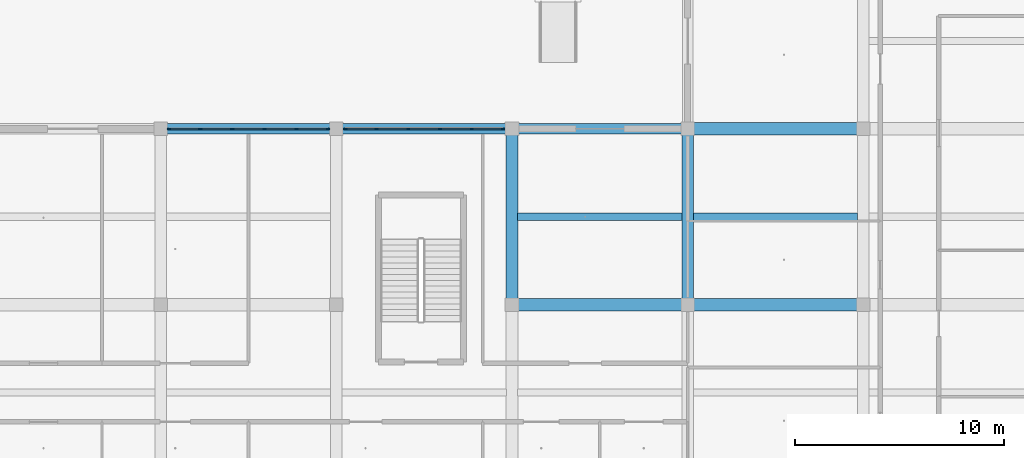
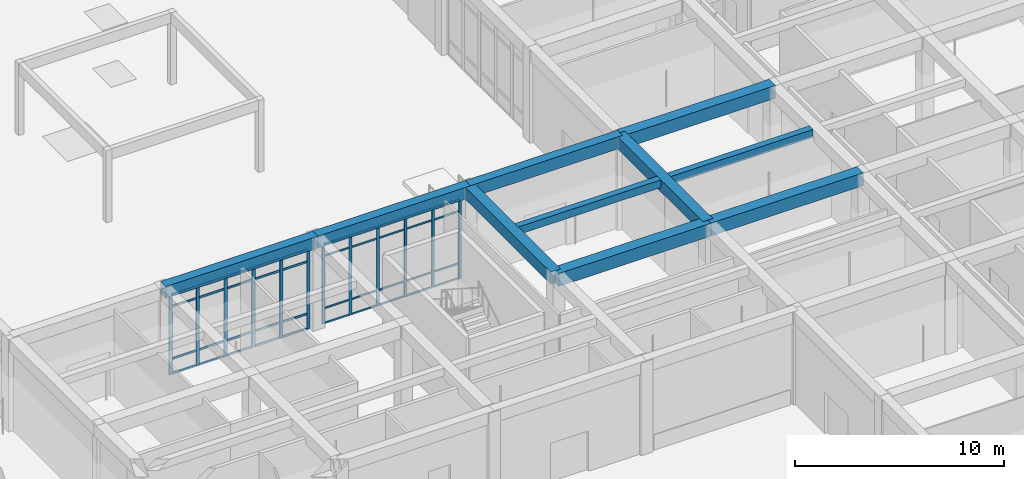
# One storey, part 38 of 167: 52 members, 10 beams, 2 elements without a shape of their own.
"""IFC4 building model written with IfcOpenShell, lengths in metres."""

from ifc_helpers import new_model, si_unit, direction, frame, origin, origin_2d, place, context, subcontext, project, spatial, rectangle, extrude, material, material_profile, profile_set, type_object, element, aggregate, save


model = new_model("IFC4")

# Units and contexts
model_context = context("Model", 3, precision=1e-05, world=origin(), true_north=direction((0.0, 1.0)))
body_context = subcontext(model_context, "Body", "Model", "MODEL_VIEW")
ifc_project = project(units=[si_unit("LENGTHUNIT", "METRE"), si_unit("AREAUNIT", "SQUARE_METRE"), si_unit("VOLUMEUNIT", "CUBIC_METRE"), si_unit("PLANEANGLEUNIT", "RADIAN"), si_unit("MASSUNIT", "GRAM", prefix="KILO")], contexts=[model_context])

# Site, building, storey
site_placement = place(None, origin())
site = spatial("IfcSite", under=ifc_project, at=site_placement, CompositionType="ELEMENT")
building_placement = place(site_placement, origin())
building = spatial("IfcBuilding", under=site, at=building_placement, Name="Varncliffe General Hospital", CompositionType="ELEMENT")
storey_placement = place(building_placement, origin())
storey = spatial("IfcBuildingStorey", under=building, at=storey_placement, Name="L00", CompositionType="ELEMENT", Elevation=0.0)

# Beams
ifc_material_1 = material(Name="Concrete C35/45 (CSA A23.1 35 MPa)", Category="concrete")
ifc_material_profile_1 = material_profile(ifc_material_1, rectangle(XDim=0.60009765625, YDim=0.75, at=origin_2d()), Name="RC 600x750")
ifc_profile_set_1 = profile_set([ifc_material_profile_1], Name="Concrete C35/45 (CSA A23.1 35 MPa)")
beam_type_1 = type_object("IfcBeamType", Name="Beam B23 (Int RC 600x750)", PredefinedType="BEAM", material=ifc_profile_set_1)
beam_1_placement = place(storey_placement, frame((142.800048828125, 32.39990234375, 5.02490234375), z_axis=(1.0, 0.0, 0.0), x_axis=(0.0, 1.0, 0.0)))
element("IfcBeam", 1, at=beam_1_placement, inside=storey, type_object=beam_type_1, Name="L00 Primary Beam B23-49", PredefinedType="BEAM", context=body_context, shape_type="SweptSolid", body=[
    extrude(rectangle(XDim=0.60009765625, YDim=0.75, at=origin_2d()), origin(), (0.0, 0.0, 1.0), 8.39990234375),
])
for number, where, z_axis, x_axis, name in (
    (2, (151.199951171875, 32.39990234375, 5.02490234375), (1.0, 0.0, 0.0), (0.0, 1.0, 0.0), "L00 Primary Beam B23-50"),
    (3, (151.199951171875, 40.800048828125, 5.02490234375), (1.0, 0.0, 0.0), (0.0, 1.0, 0.0), "L00 Primary Beam B23-64"),
):
    element("IfcBeam", number, at=place(storey_placement, frame(where, z_axis=z_axis, x_axis=x_axis)), inside=storey, type_object=beam_type_1, Name=name, PredefinedType="BEAM", context=body_context, shape_type="SweptSolid", body=[
        extrude(rectangle(XDim=0.60009765625, YDim=0.75, at=origin_2d()), origin(), (0.0, 0.0, 1.0), 8.400146484375),
    ])
ifc_material_profile_2 = material_profile(ifc_material_1, rectangle(XDim=0.550048828125, YDim=0.699951171875, at=origin_2d()), Name="RC 550x700")
ifc_profile_set_2 = profile_set([ifc_material_profile_2], Name="Concrete C35/45 (CSA A23.1 35 MPa)")
beam_type_2 = type_object("IfcBeamType", Name="Beam B35 (Int RC 550x700)", PredefinedType="BEAM", material=ifc_profile_set_2)
for number, where, z_axis, x_axis, name in (
    (4, (142.800048828125, 32.39990234375, 5.050048828125), (0.0, 1.0, 0.0), (-1.0, 0.0, 0.0), "L00 Primary Beam B35-451"),
    (5, (151.199951171875, 32.39990234375, 5.050048828125), (0.0, 1.0, 0.0), (-1.0, 0.0, 0.0), "L00 Primary Beam B35-463"),
):
    element("IfcBeam", number, at=place(storey_placement, frame(where, z_axis=z_axis, x_axis=x_axis)), inside=storey, type_object=beam_type_2, Name=name, PredefinedType="BEAM", context=body_context, shape_type="SweptSolid", body=[
        extrude(rectangle(XDim=0.550048828125, YDim=0.699951171875, at=origin_2d()), origin(), (0.0, 0.0, 1.0), 8.400146484375),
    ])

# Curtain wall, members
ifc_material_2 = material(Name="Triple low-E argon insulated vision glazing", Category="glass")
curtain_wall_type_1 = type_object("IfcCurtainWallType", Name="Unitised Glazed Curtain Wall CW15 (7674x4640)", PredefinedType="USERDEFINED", material=ifc_material_2)
curtain_wall_1_placement = place(storey_placement, origin())
curtain_wall_1 = element("IfcCurtainWall", 6, at=curtain_wall_1_placement, inside=storey, type_object=curtain_wall_type_1, Name="L00 Glazed Curtain Wall CW15-28", ObjectType="GLAZED CURTAIN WALL", PredefinedType="USERDEFINED")
ifc_material_3 = material(Name="Dark bronze thermally broken aluminium framing", Category="aluminium")
ifc_material_profile_3 = material_profile(ifc_material_3, rectangle(XDim=0.074951171875, YDim=0.179931640625, at=origin_2d()), Name="ALU 75x180")
ifc_profile_set_3 = profile_set([ifc_material_profile_3], Name="Dark bronze thermally broken aluminium framing")
member_type_1 = type_object("IfcMemberType", Name="Curtain Wall Mullion CM44 (ALU 75x180)", PredefinedType="MULLION", material=ifc_profile_set_3)
member_1_placement = place(storey_placement, frame((126.400390625, 40.800048828125, 0.0), z_axis=(0.0, 0.0, 1.0), x_axis=(0.0, 1.0, 0.0)))
member_1 = element("IfcMember", 7, at=member_1_placement, type_object=member_type_1, Name="CW15 mullion 1", PredefinedType="MULLION", context=body_context, shape_type="SweptSolid", body=[
    extrude(rectangle(XDim=0.074951171875, YDim=0.179931640625, at=origin_2d()), origin(), (0.0, 0.0, 1.0), 4.639892578125),
])
member_2_placement = place(storey_placement, frame((127.897705078125, 40.800048828125, 0.0), z_axis=(0.0, 0.0, 1.0), x_axis=(0.0, 1.0, 0.0)))
member_2 = element("IfcMember", 8, at=member_2_placement, type_object=member_type_1, Name="CW15 mullion 2", PredefinedType="MULLION", context=body_context, shape_type="SweptSolid", body=[
    extrude(rectangle(XDim=0.074951171875, YDim=0.179931640625, at=origin_2d()), origin(), (0.0, 0.0, 1.0), 4.639892578125),
])
member_3_placement = place(storey_placement, frame((129.4326171875, 40.800048828125, 0.0), z_axis=(0.0, 0.0, 1.0), x_axis=(0.0, 1.0, 0.0)))
member_3 = element("IfcMember", 9, at=member_3_placement, type_object=member_type_1, Name="CW15 mullion 3", PredefinedType="MULLION", context=body_context, shape_type="SweptSolid", body=[
    extrude(rectangle(XDim=0.074951171875, YDim=0.179931640625, at=origin_2d()), origin(), (0.0, 0.0, 1.0), 4.639892578125),
])
member_4_placement = place(storey_placement, frame((130.96728515625, 40.800048828125, 0.0), z_axis=(0.0, 0.0, 1.0), x_axis=(0.0, 1.0, 0.0)))
member_4 = element("IfcMember", 10, at=member_4_placement, type_object=member_type_1, Name="CW15 mullion 4", PredefinedType="MULLION", context=body_context, shape_type="SweptSolid", body=[
    extrude(rectangle(XDim=0.074951171875, YDim=0.179931640625, at=origin_2d()), origin(), (0.0, 0.0, 1.0), 4.639892578125),
])
member_5_placement = place(storey_placement, frame((132.502197265625, 40.800048828125, 0.0), z_axis=(0.0, 0.0, 1.0), x_axis=(0.0, 1.0, 0.0)))
member_5 = element("IfcMember", 11, at=member_5_placement, type_object=member_type_1, Name="CW15 mullion 5", PredefinedType="MULLION", context=body_context, shape_type="SweptSolid", body=[
    extrude(rectangle(XDim=0.074951171875, YDim=0.179931640625, at=origin_2d()), origin(), (0.0, 0.0, 1.0), 4.639892578125),
])
member_6_placement = place(storey_placement, frame((133.99951171875, 40.800048828125, 0.0), z_axis=(0.0, 0.0, 1.0), x_axis=(0.0, 1.0, 0.0)))
member_6 = element("IfcMember", 12, at=member_6_placement, type_object=member_type_1, Name="CW15 mullion 6", PredefinedType="MULLION", context=body_context, shape_type="SweptSolid", body=[
    extrude(rectangle(XDim=0.074951171875, YDim=0.179931640625, at=origin_2d()), origin(), (0.0, 0.0, 1.0), 4.639892578125),
])

curtain_wall_type_2 = type_object("IfcCurtainWallType", Name="Unitised Glazed Curtain Wall CW26 (7594x4640)", PredefinedType="USERDEFINED", material=ifc_material_2)
curtain_wall_2_placement = place(storey_placement, origin())
curtain_wall_2 = element("IfcCurtainWall", 13, at=curtain_wall_2_placement, inside=storey, type_object=curtain_wall_type_2, Name="L00 Glazed Curtain Wall CW26-29", ObjectType="GLAZED CURTAIN WALL", PredefinedType="USERDEFINED")
ifc_material_profile_4 = material_profile(ifc_material_3, rectangle(XDim=0.06494140625, YDim=0.159912109375, at=origin_2d()), Name="ALU 65x160")
ifc_profile_set_4 = profile_set([ifc_material_profile_4], Name="Dark bronze thermally broken aluminium framing")
member_type_2 = type_object("IfcMemberType", Name="Curtain Wall Mullion CM65 (ALU 65x160)", PredefinedType="MULLION", material=ifc_profile_set_4)
member_7_placement = place(storey_placement, frame((134.83544921875, 40.800048828125, 0.0), z_axis=(0.0, 0.0, 1.0), x_axis=(0.0, 1.0, 0.0)))
member_7 = element("IfcMember", 14, at=member_7_placement, type_object=member_type_2, Name="CW26 mullion 1", PredefinedType="MULLION", context=body_context, shape_type="SweptSolid", body=[
    extrude(rectangle(XDim=0.06494140625, YDim=0.159912109375, at=origin_2d()), origin(), (0.0, 0.0, 1.0), 4.639892578125),
])
member_8_placement = place(storey_placement, frame((136.32177734375, 40.800048828125, 0.0), z_axis=(0.0, 0.0, 1.0), x_axis=(0.0, 1.0, 0.0)))
member_8 = element("IfcMember", 15, at=member_8_placement, type_object=member_type_2, Name="CW26 mullion 2", PredefinedType="MULLION", context=body_context, shape_type="SweptSolid", body=[
    extrude(rectangle(XDim=0.06494140625, YDim=0.159912109375, at=origin_2d()), origin(), (0.0, 0.0, 1.0), 4.639892578125),
])
member_9_placement = place(storey_placement, frame((137.840576171875, 40.800048828125, 0.0), z_axis=(0.0, 0.0, 1.0), x_axis=(0.0, 1.0, 0.0)))
member_9 = element("IfcMember", 16, at=member_9_placement, type_object=member_type_2, Name="CW26 mullion 3", PredefinedType="MULLION", context=body_context, shape_type="SweptSolid", body=[
    extrude(rectangle(XDim=0.06494140625, YDim=0.159912109375, at=origin_2d()), origin(), (0.0, 0.0, 1.0), 4.639892578125),
])
member_10_placement = place(storey_placement, frame((139.359375, 40.800048828125, 0.0), z_axis=(0.0, 0.0, 1.0), x_axis=(0.0, 1.0, 0.0)))
member_10 = element("IfcMember", 17, at=member_10_placement, type_object=member_type_2, Name="CW26 mullion 4", PredefinedType="MULLION", context=body_context, shape_type="SweptSolid", body=[
    extrude(rectangle(XDim=0.06494140625, YDim=0.159912109375, at=origin_2d()), origin(), (0.0, 0.0, 1.0), 4.639892578125),
])
member_11_placement = place(storey_placement, frame((140.878173828125, 40.800048828125, 0.0), z_axis=(0.0, 0.0, 1.0), x_axis=(0.0, 1.0, 0.0)))
member_11 = element("IfcMember", 18, at=member_11_placement, type_object=member_type_2, Name="CW26 mullion 5", PredefinedType="MULLION", context=body_context, shape_type="SweptSolid", body=[
    extrude(rectangle(XDim=0.06494140625, YDim=0.159912109375, at=origin_2d()), origin(), (0.0, 0.0, 1.0), 4.639892578125),
])
member_12_placement = place(storey_placement, frame((142.364501953125, 40.800048828125, 0.0), z_axis=(0.0, 0.0, 1.0), x_axis=(0.0, 1.0, 0.0)))
member_12 = element("IfcMember", 19, at=member_12_placement, type_object=member_type_2, Name="CW26 mullion 6", PredefinedType="MULLION", context=body_context, shape_type="SweptSolid", body=[
    extrude(rectangle(XDim=0.06494140625, YDim=0.159912109375, at=origin_2d()), origin(), (0.0, 0.0, 1.0), 4.639892578125),
])

# Member
ifc_material_profile_5 = material_profile(ifc_material_3, rectangle(XDim=0.06005859375, YDim=0.1201171875, at=origin_2d()), Name="ALU 60x120")
ifc_profile_set_5 = profile_set([ifc_material_profile_5], Name="Dark bronze thermally broken aluminium framing")
member_type_3 = type_object("IfcMemberType", Name="Curtain Wall Transom CT14 (ALU 60x120)", PredefinedType="USERDEFINED", material=ifc_profile_set_5)
member_13_placement = place(storey_placement, frame((126.43798828125, 40.800048828125, 0.030029296875), z_axis=(1.0, 0.0, 0.0), x_axis=(0.0, 1.0, 0.0)))
member_13 = element("IfcMember", 20, at=member_13_placement, type_object=member_type_3, Name="CW15 transom 1.1", ObjectType="TRANSOM", PredefinedType="USERDEFINED", context=body_context, shape_type="SweptSolid", body=[
    extrude(rectangle(XDim=0.06005859375, YDim=0.1201171875, at=origin_2d()), origin(), (0.0, 0.0, 1.0), 1.42236328125),
])

member_14_placement = place(storey_placement, frame((126.43798828125, 40.800048828125, 0.89990234375), z_axis=(1.0, 0.0, 0.0), x_axis=(0.0, 1.0, 0.0)))
member_14 = element("IfcMember", 21, at=member_14_placement, type_object=member_type_3, Name="CW15 transom 1.2", ObjectType="TRANSOM", PredefinedType="USERDEFINED", context=body_context, shape_type="SweptSolid", body=[
    extrude(rectangle(XDim=0.06005859375, YDim=0.1201171875, at=origin_2d()), origin(), (0.0, 0.0, 1.0), 1.42236328125),
])

member_15_placement = place(storey_placement, frame((126.43798828125, 40.800048828125, 3.93994140625), z_axis=(1.0, 0.0, 0.0), x_axis=(0.0, 1.0, 0.0)))
member_15 = element("IfcMember", 22, at=member_15_placement, type_object=member_type_3, Name="CW15 transom 1.3", ObjectType="TRANSOM", PredefinedType="USERDEFINED", context=body_context, shape_type="SweptSolid", body=[
    extrude(rectangle(XDim=0.06005859375, YDim=0.1201171875, at=origin_2d()), origin(), (0.0, 0.0, 1.0), 1.42236328125),
])

member_16_placement = place(storey_placement, frame((126.43798828125, 40.800048828125, 4.610107421875), z_axis=(1.0, 0.0, 0.0), x_axis=(0.0, 1.0, 0.0)))
member_16 = element("IfcMember", 23, at=member_16_placement, type_object=member_type_3, Name="CW15 transom 1.4", ObjectType="TRANSOM", PredefinedType="USERDEFINED", context=body_context, shape_type="SweptSolid", body=[
    extrude(rectangle(XDim=0.06005859375, YDim=0.1201171875, at=origin_2d()), origin(), (0.0, 0.0, 1.0), 1.42236328125),
])

member_17_placement = place(storey_placement, frame((127.935302734375, 40.800048828125, 0.030029296875), z_axis=(1.0, 0.0, 0.0), x_axis=(0.0, 1.0, 0.0)))
member_17 = element("IfcMember", 24, at=member_17_placement, type_object=member_type_3, Name="CW15 transom 2.1", ObjectType="TRANSOM", PredefinedType="USERDEFINED", context=body_context, shape_type="SweptSolid", body=[
    extrude(rectangle(XDim=0.06005859375, YDim=0.1201171875, at=origin_2d()), origin(), (0.0, 0.0, 1.0), 1.459716796875),
])

member_18_placement = place(storey_placement, frame((127.935302734375, 40.800048828125, 0.89990234375), z_axis=(1.0, 0.0, 0.0), x_axis=(0.0, 1.0, 0.0)))
member_18 = element("IfcMember", 25, at=member_18_placement, type_object=member_type_3, Name="CW15 transom 2.2", ObjectType="TRANSOM", PredefinedType="USERDEFINED", context=body_context, shape_type="SweptSolid", body=[
    extrude(rectangle(XDim=0.06005859375, YDim=0.1201171875, at=origin_2d()), origin(), (0.0, 0.0, 1.0), 1.459716796875),
])

member_19_placement = place(storey_placement, frame((127.935302734375, 40.800048828125, 3.93994140625), z_axis=(1.0, 0.0, 0.0), x_axis=(0.0, 1.0, 0.0)))
member_19 = element("IfcMember", 26, at=member_19_placement, type_object=member_type_3, Name="CW15 transom 2.3", ObjectType="TRANSOM", PredefinedType="USERDEFINED", context=body_context, shape_type="SweptSolid", body=[
    extrude(rectangle(XDim=0.06005859375, YDim=0.1201171875, at=origin_2d()), origin(), (0.0, 0.0, 1.0), 1.459716796875),
])

member_20_placement = place(storey_placement, frame((127.935302734375, 40.800048828125, 4.610107421875), z_axis=(1.0, 0.0, 0.0), x_axis=(0.0, 1.0, 0.0)))
member_20 = element("IfcMember", 27, at=member_20_placement, type_object=member_type_3, Name="CW15 transom 2.4", ObjectType="TRANSOM", PredefinedType="USERDEFINED", context=body_context, shape_type="SweptSolid", body=[
    extrude(rectangle(XDim=0.06005859375, YDim=0.1201171875, at=origin_2d()), origin(), (0.0, 0.0, 1.0), 1.459716796875),
])

member_21_placement = place(storey_placement, frame((129.47021484375, 40.800048828125, 0.030029296875), z_axis=(1.0, 0.0, 0.0), x_axis=(0.0, 1.0, 0.0)))
member_21 = element("IfcMember", 28, at=member_21_placement, type_object=member_type_3, Name="CW15 transom 3.1", ObjectType="TRANSOM", PredefinedType="USERDEFINED", context=body_context, shape_type="SweptSolid", body=[
    extrude(rectangle(XDim=0.06005859375, YDim=0.1201171875, at=origin_2d()), origin(), (0.0, 0.0, 1.0), 1.459716796875),
])

member_22_placement = place(storey_placement, frame((129.47021484375, 40.800048828125, 0.89990234375), z_axis=(1.0, 0.0, 0.0), x_axis=(0.0, 1.0, 0.0)))
member_22 = element("IfcMember", 29, at=member_22_placement, type_object=member_type_3, Name="CW15 transom 3.2", ObjectType="TRANSOM", PredefinedType="USERDEFINED", context=body_context, shape_type="SweptSolid", body=[
    extrude(rectangle(XDim=0.06005859375, YDim=0.1201171875, at=origin_2d()), origin(), (0.0, 0.0, 1.0), 1.459716796875),
])

member_23_placement = place(storey_placement, frame((129.47021484375, 40.800048828125, 3.93994140625), z_axis=(1.0, 0.0, 0.0), x_axis=(0.0, 1.0, 0.0)))
member_23 = element("IfcMember", 30, at=member_23_placement, type_object=member_type_3, Name="CW15 transom 3.3", ObjectType="TRANSOM", PredefinedType="USERDEFINED", context=body_context, shape_type="SweptSolid", body=[
    extrude(rectangle(XDim=0.06005859375, YDim=0.1201171875, at=origin_2d()), origin(), (0.0, 0.0, 1.0), 1.459716796875),
])

member_24_placement = place(storey_placement, frame((129.47021484375, 40.800048828125, 4.610107421875), z_axis=(1.0, 0.0, 0.0), x_axis=(0.0, 1.0, 0.0)))
member_24 = element("IfcMember", 31, at=member_24_placement, type_object=member_type_3, Name="CW15 transom 3.4", ObjectType="TRANSOM", PredefinedType="USERDEFINED", context=body_context, shape_type="SweptSolid", body=[
    extrude(rectangle(XDim=0.06005859375, YDim=0.1201171875, at=origin_2d()), origin(), (0.0, 0.0, 1.0), 1.459716796875),
])

member_25_placement = place(storey_placement, frame((131.0048828125, 40.800048828125, 0.030029296875), z_axis=(1.0, 0.0, 0.0), x_axis=(0.0, 1.0, 0.0)))
member_25 = element("IfcMember", 32, at=member_25_placement, type_object=member_type_3, Name="CW15 transom 4.1", ObjectType="TRANSOM", PredefinedType="USERDEFINED", context=body_context, shape_type="SweptSolid", body=[
    extrude(rectangle(XDim=0.06005859375, YDim=0.1201171875, at=origin_2d()), origin(), (0.0, 0.0, 1.0), 1.459716796875),
])

member_26_placement = place(storey_placement, frame((131.0048828125, 40.800048828125, 0.89990234375), z_axis=(1.0, 0.0, 0.0), x_axis=(0.0, 1.0, 0.0)))
member_26 = element("IfcMember", 33, at=member_26_placement, type_object=member_type_3, Name="CW15 transom 4.2", ObjectType="TRANSOM", PredefinedType="USERDEFINED", context=body_context, shape_type="SweptSolid", body=[
    extrude(rectangle(XDim=0.06005859375, YDim=0.1201171875, at=origin_2d()), origin(), (0.0, 0.0, 1.0), 1.459716796875),
])

member_27_placement = place(storey_placement, frame((131.0048828125, 40.800048828125, 3.93994140625), z_axis=(1.0, 0.0, 0.0), x_axis=(0.0, 1.0, 0.0)))
member_27 = element("IfcMember", 34, at=member_27_placement, type_object=member_type_3, Name="CW15 transom 4.3", ObjectType="TRANSOM", PredefinedType="USERDEFINED", context=body_context, shape_type="SweptSolid", body=[
    extrude(rectangle(XDim=0.06005859375, YDim=0.1201171875, at=origin_2d()), origin(), (0.0, 0.0, 1.0), 1.459716796875),
])

member_28_placement = place(storey_placement, frame((131.0048828125, 40.800048828125, 4.610107421875), z_axis=(1.0, 0.0, 0.0), x_axis=(0.0, 1.0, 0.0)))
member_28 = element("IfcMember", 35, at=member_28_placement, type_object=member_type_3, Name="CW15 transom 4.4", ObjectType="TRANSOM", PredefinedType="USERDEFINED", context=body_context, shape_type="SweptSolid", body=[
    extrude(rectangle(XDim=0.06005859375, YDim=0.1201171875, at=origin_2d()), origin(), (0.0, 0.0, 1.0), 1.459716796875),
])

member_29_placement = place(storey_placement, frame((132.539794921875, 40.800048828125, 0.030029296875), z_axis=(1.0, 0.0, 0.0), x_axis=(0.0, 1.0, 0.0)))
member_29 = element("IfcMember", 36, at=member_29_placement, type_object=member_type_3, Name="CW15 transom 5.1", ObjectType="TRANSOM", PredefinedType="USERDEFINED", context=body_context, shape_type="SweptSolid", body=[
    extrude(rectangle(XDim=0.06005859375, YDim=0.1201171875, at=origin_2d()), origin(), (0.0, 0.0, 1.0), 1.422119140625),
])

member_30_placement = place(storey_placement, frame((132.539794921875, 40.800048828125, 0.89990234375), z_axis=(1.0, 0.0, 0.0), x_axis=(0.0, 1.0, 0.0)))
member_30 = element("IfcMember", 37, at=member_30_placement, type_object=member_type_3, Name="CW15 transom 5.2", ObjectType="TRANSOM", PredefinedType="USERDEFINED", context=body_context, shape_type="SweptSolid", body=[
    extrude(rectangle(XDim=0.06005859375, YDim=0.1201171875, at=origin_2d()), origin(), (0.0, 0.0, 1.0), 1.422119140625),
])

member_31_placement = place(storey_placement, frame((132.539794921875, 40.800048828125, 3.93994140625), z_axis=(1.0, 0.0, 0.0), x_axis=(0.0, 1.0, 0.0)))
member_31 = element("IfcMember", 38, at=member_31_placement, type_object=member_type_3, Name="CW15 transom 5.3", ObjectType="TRANSOM", PredefinedType="USERDEFINED", context=body_context, shape_type="SweptSolid", body=[
    extrude(rectangle(XDim=0.06005859375, YDim=0.1201171875, at=origin_2d()), origin(), (0.0, 0.0, 1.0), 1.422119140625),
])

member_32_placement = place(storey_placement, frame((132.539794921875, 40.800048828125, 4.610107421875), z_axis=(1.0, 0.0, 0.0), x_axis=(0.0, 1.0, 0.0)))
member_32 = element("IfcMember", 39, at=member_32_placement, type_object=member_type_3, Name="CW15 transom 5.4", ObjectType="TRANSOM", PredefinedType="USERDEFINED", context=body_context, shape_type="SweptSolid", body=[
    extrude(rectangle(XDim=0.06005859375, YDim=0.1201171875, at=origin_2d()), origin(), (0.0, 0.0, 1.0), 1.422119140625),
])

aggregate(curtain_wall_1, [member_1, member_2, member_3, member_4, member_5, member_6, member_13, member_14, member_15, member_16, member_17, member_18, member_19, member_20, member_21, member_22, member_23, member_24, member_25, member_26, member_27, member_28, member_29, member_30, member_31, member_32])

ifc_material_profile_6 = material_profile(ifc_material_3, rectangle(XDim=0.06005859375, YDim=0.10009765625, at=origin_2d()), Name="ALU 60x100")
ifc_profile_set_6 = profile_set([ifc_material_profile_6], Name="Dark bronze thermally broken aluminium framing")
member_type_4 = type_object("IfcMemberType", Name="Curtain Wall Transom CT18 (ALU 60x100)", PredefinedType="USERDEFINED", material=ifc_profile_set_6)
member_33_placement = place(storey_placement, frame((134.867919921875, 40.800048828125, 0.030029296875), z_axis=(1.0, 0.0, 0.0), x_axis=(0.0, 1.0, 0.0)))
member_33 = element("IfcMember", 40, at=member_33_placement, type_object=member_type_4, Name="CW26 transom 1.1", ObjectType="TRANSOM", PredefinedType="USERDEFINED", context=body_context, shape_type="SweptSolid", body=[
    extrude(rectangle(XDim=0.06005859375, YDim=0.10009765625, at=origin_2d()), origin(), (0.0, 0.0, 1.0), 1.42138671875),
])

member_34_placement = place(storey_placement, frame((134.867919921875, 40.800048828125, 0.89990234375), z_axis=(1.0, 0.0, 0.0), x_axis=(0.0, 1.0, 0.0)))
member_34 = element("IfcMember", 41, at=member_34_placement, type_object=member_type_4, Name="CW26 transom 1.2", ObjectType="TRANSOM", PredefinedType="USERDEFINED", context=body_context, shape_type="SweptSolid", body=[
    extrude(rectangle(XDim=0.06005859375, YDim=0.10009765625, at=origin_2d()), origin(), (0.0, 0.0, 1.0), 1.42138671875),
])

member_35_placement = place(storey_placement, frame((134.867919921875, 40.800048828125, 3.93994140625), z_axis=(1.0, 0.0, 0.0), x_axis=(0.0, 1.0, 0.0)))
member_35 = element("IfcMember", 42, at=member_35_placement, type_object=member_type_4, Name="CW26 transom 1.3", ObjectType="TRANSOM", PredefinedType="USERDEFINED", context=body_context, shape_type="SweptSolid", body=[
    extrude(rectangle(XDim=0.06005859375, YDim=0.10009765625, at=origin_2d()), origin(), (0.0, 0.0, 1.0), 1.42138671875),
])

member_36_placement = place(storey_placement, frame((134.867919921875, 40.800048828125, 4.610107421875), z_axis=(1.0, 0.0, 0.0), x_axis=(0.0, 1.0, 0.0)))
member_36 = element("IfcMember", 43, at=member_36_placement, type_object=member_type_4, Name="CW26 transom 1.4", ObjectType="TRANSOM", PredefinedType="USERDEFINED", context=body_context, shape_type="SweptSolid", body=[
    extrude(rectangle(XDim=0.06005859375, YDim=0.10009765625, at=origin_2d()), origin(), (0.0, 0.0, 1.0), 1.42138671875),
])

member_37_placement = place(storey_placement, frame((136.354248046875, 40.800048828125, 0.030029296875), z_axis=(1.0, 0.0, 0.0), x_axis=(0.0, 1.0, 0.0)))
member_37 = element("IfcMember", 44, at=member_37_placement, type_object=member_type_4, Name="CW26 transom 2.1", ObjectType="TRANSOM", PredefinedType="USERDEFINED", context=body_context, shape_type="SweptSolid", body=[
    extrude(rectangle(XDim=0.06005859375, YDim=0.10009765625, at=origin_2d()), origin(), (0.0, 0.0, 1.0), 1.453857421875),
])

member_38_placement = place(storey_placement, frame((136.354248046875, 40.800048828125, 0.89990234375), z_axis=(1.0, 0.0, 0.0), x_axis=(0.0, 1.0, 0.0)))
member_38 = element("IfcMember", 45, at=member_38_placement, type_object=member_type_4, Name="CW26 transom 2.2", ObjectType="TRANSOM", PredefinedType="USERDEFINED", context=body_context, shape_type="SweptSolid", body=[
    extrude(rectangle(XDim=0.06005859375, YDim=0.10009765625, at=origin_2d()), origin(), (0.0, 0.0, 1.0), 1.453857421875),
])

member_39_placement = place(storey_placement, frame((136.354248046875, 40.800048828125, 3.93994140625), z_axis=(1.0, 0.0, 0.0), x_axis=(0.0, 1.0, 0.0)))
member_39 = element("IfcMember", 46, at=member_39_placement, type_object=member_type_4, Name="CW26 transom 2.3", ObjectType="TRANSOM", PredefinedType="USERDEFINED", context=body_context, shape_type="SweptSolid", body=[
    extrude(rectangle(XDim=0.06005859375, YDim=0.10009765625, at=origin_2d()), origin(), (0.0, 0.0, 1.0), 1.453857421875),
])

member_40_placement = place(storey_placement, frame((136.354248046875, 40.800048828125, 4.610107421875), z_axis=(1.0, 0.0, 0.0), x_axis=(0.0, 1.0, 0.0)))
member_40 = element("IfcMember", 47, at=member_40_placement, type_object=member_type_4, Name="CW26 transom 2.4", ObjectType="TRANSOM", PredefinedType="USERDEFINED", context=body_context, shape_type="SweptSolid", body=[
    extrude(rectangle(XDim=0.06005859375, YDim=0.10009765625, at=origin_2d()), origin(), (0.0, 0.0, 1.0), 1.453857421875),
])

member_41_placement = place(storey_placement, frame((137.873046875, 40.800048828125, 0.030029296875), z_axis=(1.0, 0.0, 0.0), x_axis=(0.0, 1.0, 0.0)))
member_41 = element("IfcMember", 48, at=member_41_placement, type_object=member_type_4, Name="CW26 transom 3.1", ObjectType="TRANSOM", PredefinedType="USERDEFINED", context=body_context, shape_type="SweptSolid", body=[
    extrude(rectangle(XDim=0.06005859375, YDim=0.10009765625, at=origin_2d()), origin(), (0.0, 0.0, 1.0), 1.453857421875),
])

member_42_placement = place(storey_placement, frame((137.873046875, 40.800048828125, 0.89990234375), z_axis=(1.0, 0.0, 0.0), x_axis=(0.0, 1.0, 0.0)))
member_42 = element("IfcMember", 49, at=member_42_placement, type_object=member_type_4, Name="CW26 transom 3.2", ObjectType="TRANSOM", PredefinedType="USERDEFINED", context=body_context, shape_type="SweptSolid", body=[
    extrude(rectangle(XDim=0.06005859375, YDim=0.10009765625, at=origin_2d()), origin(), (0.0, 0.0, 1.0), 1.453857421875),
])

member_43_placement = place(storey_placement, frame((137.873046875, 40.800048828125, 3.93994140625), z_axis=(1.0, 0.0, 0.0), x_axis=(0.0, 1.0, 0.0)))
member_43 = element("IfcMember", 50, at=member_43_placement, type_object=member_type_4, Name="CW26 transom 3.3", ObjectType="TRANSOM", PredefinedType="USERDEFINED", context=body_context, shape_type="SweptSolid", body=[
    extrude(rectangle(XDim=0.06005859375, YDim=0.10009765625, at=origin_2d()), origin(), (0.0, 0.0, 1.0), 1.453857421875),
])

member_44_placement = place(storey_placement, frame((137.873046875, 40.800048828125, 4.610107421875), z_axis=(1.0, 0.0, 0.0), x_axis=(0.0, 1.0, 0.0)))
member_44 = element("IfcMember", 51, at=member_44_placement, type_object=member_type_4, Name="CW26 transom 3.4", ObjectType="TRANSOM", PredefinedType="USERDEFINED", context=body_context, shape_type="SweptSolid", body=[
    extrude(rectangle(XDim=0.06005859375, YDim=0.10009765625, at=origin_2d()), origin(), (0.0, 0.0, 1.0), 1.453857421875),
])

member_45_placement = place(storey_placement, frame((139.391845703125, 40.800048828125, 0.030029296875), z_axis=(1.0, 0.0, 0.0), x_axis=(0.0, 1.0, 0.0)))
member_45 = element("IfcMember", 52, at=member_45_placement, type_object=member_type_4, Name="CW26 transom 4.1", ObjectType="TRANSOM", PredefinedType="USERDEFINED", context=body_context, shape_type="SweptSolid", body=[
    extrude(rectangle(XDim=0.06005859375, YDim=0.10009765625, at=origin_2d()), origin(), (0.0, 0.0, 1.0), 1.453857421875),
])

member_46_placement = place(storey_placement, frame((139.391845703125, 40.800048828125, 0.89990234375), z_axis=(1.0, 0.0, 0.0), x_axis=(0.0, 1.0, 0.0)))
member_46 = element("IfcMember", 53, at=member_46_placement, type_object=member_type_4, Name="CW26 transom 4.2", ObjectType="TRANSOM", PredefinedType="USERDEFINED", context=body_context, shape_type="SweptSolid", body=[
    extrude(rectangle(XDim=0.06005859375, YDim=0.10009765625, at=origin_2d()), origin(), (0.0, 0.0, 1.0), 1.453857421875),
])

member_47_placement = place(storey_placement, frame((139.391845703125, 40.800048828125, 3.93994140625), z_axis=(1.0, 0.0, 0.0), x_axis=(0.0, 1.0, 0.0)))
member_47 = element("IfcMember", 54, at=member_47_placement, type_object=member_type_4, Name="CW26 transom 4.3", ObjectType="TRANSOM", PredefinedType="USERDEFINED", context=body_context, shape_type="SweptSolid", body=[
    extrude(rectangle(XDim=0.06005859375, YDim=0.10009765625, at=origin_2d()), origin(), (0.0, 0.0, 1.0), 1.453857421875),
])

member_48_placement = place(storey_placement, frame((139.391845703125, 40.800048828125, 4.610107421875), z_axis=(1.0, 0.0, 0.0), x_axis=(0.0, 1.0, 0.0)))
member_48 = element("IfcMember", 55, at=member_48_placement, type_object=member_type_4, Name="CW26 transom 4.4", ObjectType="TRANSOM", PredefinedType="USERDEFINED", context=body_context, shape_type="SweptSolid", body=[
    extrude(rectangle(XDim=0.06005859375, YDim=0.10009765625, at=origin_2d()), origin(), (0.0, 0.0, 1.0), 1.453857421875),
])

member_49_placement = place(storey_placement, frame((140.91064453125, 40.800048828125, 0.030029296875), z_axis=(1.0, 0.0, 0.0), x_axis=(0.0, 1.0, 0.0)))
member_49 = element("IfcMember", 56, at=member_49_placement, type_object=member_type_4, Name="CW26 transom 5.1", ObjectType="TRANSOM", PredefinedType="USERDEFINED", context=body_context, shape_type="SweptSolid", body=[
    extrude(rectangle(XDim=0.06005859375, YDim=0.10009765625, at=origin_2d()), origin(), (0.0, 0.0, 1.0), 1.42138671875),
])

member_50_placement = place(storey_placement, frame((140.91064453125, 40.800048828125, 0.89990234375), z_axis=(1.0, 0.0, 0.0), x_axis=(0.0, 1.0, 0.0)))
member_50 = element("IfcMember", 57, at=member_50_placement, type_object=member_type_4, Name="CW26 transom 5.2", ObjectType="TRANSOM", PredefinedType="USERDEFINED", context=body_context, shape_type="SweptSolid", body=[
    extrude(rectangle(XDim=0.06005859375, YDim=0.10009765625, at=origin_2d()), origin(), (0.0, 0.0, 1.0), 1.42138671875),
])

member_51_placement = place(storey_placement, frame((140.91064453125, 40.800048828125, 3.93994140625), z_axis=(1.0, 0.0, 0.0), x_axis=(0.0, 1.0, 0.0)))
member_51 = element("IfcMember", 58, at=member_51_placement, type_object=member_type_4, Name="CW26 transom 5.3", ObjectType="TRANSOM", PredefinedType="USERDEFINED", context=body_context, shape_type="SweptSolid", body=[
    extrude(rectangle(XDim=0.06005859375, YDim=0.10009765625, at=origin_2d()), origin(), (0.0, 0.0, 1.0), 1.42138671875),
])

member_52_placement = place(storey_placement, frame((140.91064453125, 40.800048828125, 4.610107421875), z_axis=(1.0, 0.0, 0.0), x_axis=(0.0, 1.0, 0.0)))
member_52 = element("IfcMember", 59, at=member_52_placement, type_object=member_type_4, Name="CW26 transom 5.4", ObjectType="TRANSOM", PredefinedType="USERDEFINED", context=body_context, shape_type="SweptSolid", body=[
    extrude(rectangle(XDim=0.06005859375, YDim=0.10009765625, at=origin_2d()), origin(), (0.0, 0.0, 1.0), 1.42138671875),
])

aggregate(curtain_wall_2, [member_7, member_8, member_9, member_10, member_11, member_12, member_33, member_34, member_35, member_36, member_37, member_38, member_39, member_40, member_41, member_42, member_43, member_44, member_45, member_46, member_47, member_48, member_49, member_50, member_51, member_52])

# Beams
ifc_material_profile_7 = material_profile(ifc_material_1, rectangle(XDim=0.35009765625, YDim=0.449951171875, at=origin_2d()), Name="RC 350x450")
ifc_profile_set_7 = profile_set([ifc_material_profile_7], Name="Concrete C35/45 (CSA A23.1 35 MPa)")
beam_type_3 = type_object("IfcBeamType", Name="Joist J55 (Int RC 350x450)", PredefinedType="JOIST", material=ifc_profile_set_7)
for number, where, z_axis, x_axis, name in (
    (60, (143.072998046875, 36.60009765625, 5.175048828125), (1.0, 0.0, 0.0), (0.0, 1.0, 0.0), "L00 Secondary Floor Rib J55-68"),
    (61, (151.472900390625, 36.60009765625, 5.175048828125), (1.0, 0.0, 0.0), (0.0, 1.0, 0.0), "L00 Secondary Floor Rib J55-72"),
):
    element("IfcBeam", number, at=place(storey_placement, frame(where, z_axis=z_axis, x_axis=x_axis)), inside=storey, type_object=beam_type_3, Name=name, PredefinedType="JOIST", context=body_context, shape_type="SweptSolid", body=[
        extrude(rectangle(XDim=0.35009765625, YDim=0.449951171875, at=origin_2d()), origin(), (0.0, 0.0, 1.0), 7.85400390625),
    ])
ifc_material_profile_8 = material_profile(ifc_material_1, rectangle(XDim=0.5, YDim=0.699951171875, at=origin_2d()), Name="RC 500x700")
ifc_profile_set_8 = profile_set([ifc_material_profile_8], Name="Concrete C35/45 (CSA A23.1 35 MPa)")
beam_type_4 = type_object("IfcBeamType", Name="Spandrel SP19 (Ext RC 500x700)", PredefinedType="SPANDREL", material=ifc_profile_set_8)
beam_2_placement = place(storey_placement, frame((126.0, 40.800048828125, 5.050048828125), z_axis=(1.0, 0.0, 0.0), x_axis=(0.0, 1.0, 0.0)))
element("IfcBeam", 62, at=beam_2_placement, inside=storey, type_object=beam_type_4, Name="L00 Spandrel Beam SP19-61", PredefinedType="SPANDREL", context=body_context, shape_type="SweptSolid", body=[
    extrude(rectangle(XDim=0.5, YDim=0.699951171875, at=origin_2d()), origin(), (0.0, 0.0, 1.0), 8.39990234375),
])
beam_3_placement = place(storey_placement, frame((134.39990234375, 40.800048828125, 5.050048828125), z_axis=(1.0, 0.0, 0.0), x_axis=(0.0, 1.0, 0.0)))
element("IfcBeam", 63, at=beam_3_placement, inside=storey, type_object=beam_type_4, Name="L00 Spandrel Beam SP19-62", PredefinedType="SPANDREL", context=body_context, shape_type="SweptSolid", body=[
    extrude(rectangle(XDim=0.5, YDim=0.699951171875, at=origin_2d()), origin(), (0.0, 0.0, 1.0), 8.400146484375),
])
beam_4_placement = place(storey_placement, frame((142.800048828125, 40.800048828125, 5.050048828125), z_axis=(1.0, 0.0, 0.0), x_axis=(0.0, 1.0, 0.0)))
element("IfcBeam", 64, at=beam_4_placement, inside=storey, type_object=beam_type_4, Name="L00 Spandrel Beam SP19-63", PredefinedType="SPANDREL", context=body_context, shape_type="SweptSolid", body=[
    extrude(rectangle(XDim=0.5, YDim=0.699951171875, at=origin_2d()), origin(), (0.0, 0.0, 1.0), 8.39990234375),
])

save(model, "model.ifc")
